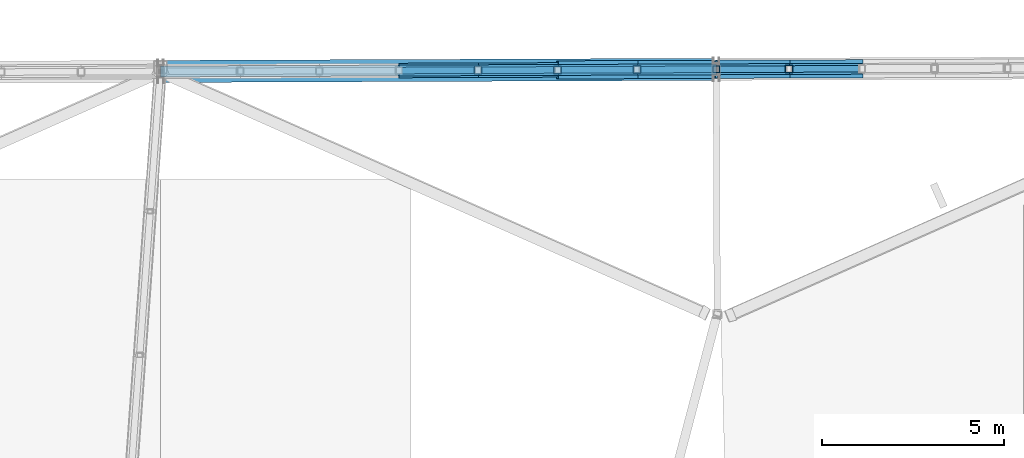
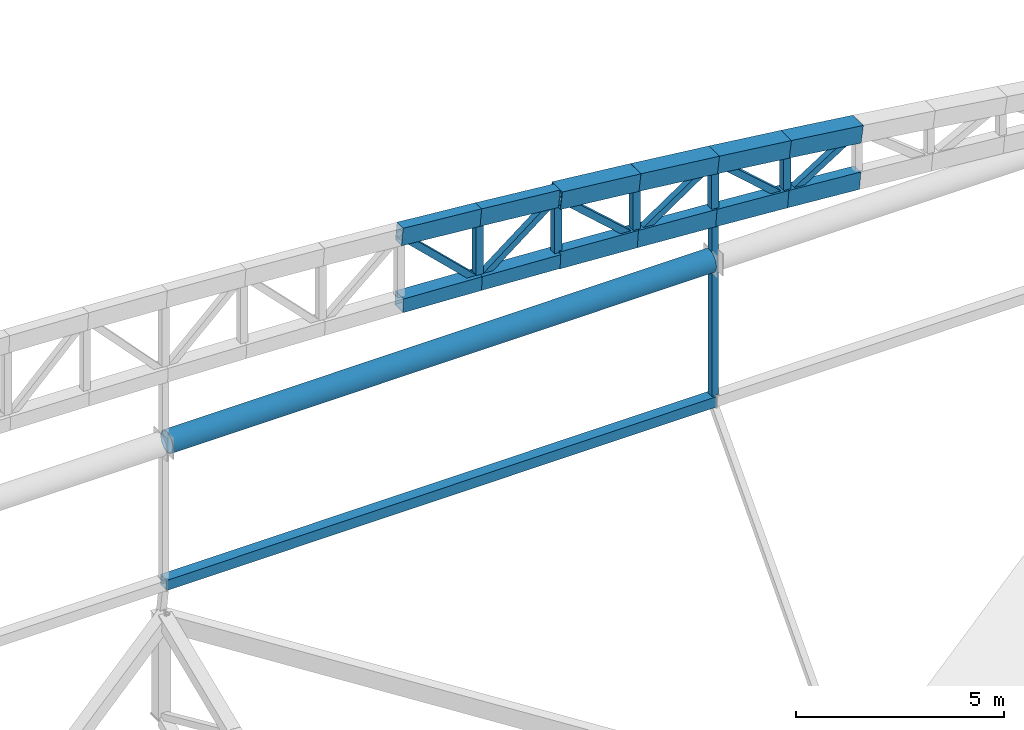
# One storey, part 90 of 188: 26 members.
"""IFC4 building model written with IfcOpenShell, lengths in metres."""

from ifc_helpers import new_model, si_unit, direction, frame, origin, origin_2d, place, context, subcontext, project, spatial, hollow_rectangle, hollow_circle, extrude, material, material_profile, profile_set, type_object, element, save


model = new_model("IFC4")

# Units and contexts
model_context = context("Model", 3, precision=1e-05, world=origin(), true_north=direction((0.0, 1.0)))
body_context = subcontext(model_context, "Body", "Model", "MODEL_VIEW")
ifc_project = project(units=[si_unit("LENGTHUNIT", "METRE"), si_unit("AREAUNIT", "SQUARE_METRE"), si_unit("VOLUMEUNIT", "CUBIC_METRE"), si_unit("PLANEANGLEUNIT", "RADIAN"), si_unit("MASSUNIT", "GRAM", prefix="KILO")], contexts=[model_context])

# Site, building, storey
site_placement = place(None, origin())
site = spatial("IfcSite", under=ifc_project, at=site_placement, CompositionType="ELEMENT")
building_placement = place(site_placement, origin())
building = spatial("IfcBuilding", under=site, at=building_placement, Name="Meseta Stadium", CompositionType="ELEMENT")
storey_placement = place(building_placement, frame((0.0, 0.0, 30.0)))
storey = spatial("IfcBuildingStorey", under=building, at=storey_placement, Name="ROOF", CompositionType="ELEMENT", Elevation=30.0)

# Members
ifc_material_1 = material(Name="Steel S355", Category="steel")
ifc_material_profile_1 = material_profile(ifc_material_1, hollow_circle(Radius=0.304931640625, WallThickness=0.02490234375, at=origin_2d()), Name="CHS 610x25")
ifc_profile_set_1 = profile_set([ifc_material_profile_1], Name="Steel S355")
member_type_1 = type_object("IfcMemberType", Name="CHS 610x25 arch tie", PredefinedType="STRUT", material=ifc_profile_set_1)
member_1_placement = place(storey_placement, frame((22.884033203125, 105.340576171875, 15.550048828125), z_axis=(-0.99999262272, -0.003841159526, 0.0), x_axis=(0.003841159526, -0.99999262272, 0.0)))
element("IfcMember", 1, at=member_1_placement, inside=storey, type_object=member_type_1, Name="GABLE ARCH GA-N tie 02", PredefinedType="STRUT", context=body_context, shape_type="SweptSolid", body=[
    extrude(hollow_circle(Radius=0.304931640625, WallThickness=0.02490234375, at=origin_2d()), origin(), (0.0, 0.0, 1.0), 15.126953125),
])
ifc_material_2 = material(Name="Steel S355", Category="steel")
ifc_material_profile_2 = material_profile(ifc_material_2, hollow_rectangle(XDim=0.300048828125, YDim=0.5, WallThickness=0.01611328125, at=origin_2d()), Name="RHS 500x300x16")
ifc_profile_set_2 = profile_set([ifc_material_profile_2], Name="Steel S355")
member_type_2 = type_object("IfcMemberType", Name="RHS 500x300x16 arch bottom chord", PredefinedType="CHORD", material=ifc_profile_set_2)
member_2_placement = place(storey_placement, frame((26.9794921875, 105.356201171875, 16.539306640625), z_axis=(-0.996723035232, -0.003766721211, 0.080802245328), x_axis=(0.00377907822, -0.999992859258, 0.0)))
element("IfcMember", 2, at=member_2_placement, inside=storey, type_object=member_type_2, Name="GABLE ARCH GA-N bottom chord", PredefinedType="CHORD", context=body_context, shape_type="SweptSolid", body=[
    extrude(hollow_rectangle(XDim=0.300048828125, YDim=0.5, WallThickness=0.01611328125, at=origin_2d()), origin(), (0.0, 0.0, 1.0), 2.00927734375),
])
member_3_placement = place(storey_placement, frame((24.976806640625, 105.3486328125, 16.70166015625), z_axis=(-0.997166550331, -0.003889958504, 0.075124823614), x_axis=(0.003900982143, -0.99999239114, 0.0)))
element("IfcMember", 3, at=member_3_placement, inside=storey, type_object=member_type_2, Name="GABLE ARCH GA-N bottom chord", PredefinedType="CHORD", context=body_context, shape_type="SweptSolid", body=[
    extrude(hollow_rectangle(XDim=0.300048828125, YDim=0.5, WallThickness=0.01611328125, at=origin_2d()), origin(), (0.0, 0.0, 1.0), 2.00830078125),
])
member_4_placement = place(storey_placement, frame((22.97412109375, 105.3408203125, 16.8525390625), z_axis=(-0.997582672164, -0.003786737842, 0.069386402228), x_axis=(0.003795886463, -0.999992795597, 0.0)))
element("IfcMember", 4, at=member_4_placement, inside=storey, type_object=member_type_2, Name="GABLE ARCH GA-N bottom chord", PredefinedType="CHORD", context=body_context, shape_type="SweptSolid", body=[
    extrude(hollow_rectangle(XDim=0.300048828125, YDim=0.5, WallThickness=0.01611328125, at=origin_2d()), origin(), (0.0, 0.0, 1.0), 2.192138671875),
])
member_5_placement = place(storey_placement, frame((20.787353515625, 105.33251953125, 17.004638671875), z_axis=(-0.997966615357, -0.003899612765, 0.063619396826), x_axis=(0.003907528502, -0.999992365581, 0.0)))
element("IfcMember", 5, at=member_5_placement, inside=storey, type_object=member_type_2, Name="GABLE ARCH GA-N bottom chord", PredefinedType="CHORD", context=body_context, shape_type="SweptSolid", body=[
    extrude(hollow_rectangle(XDim=0.300048828125, YDim=0.5, WallThickness=0.01611328125, at=origin_2d()), origin(), (0.0, 0.0, 1.0), 2.191162109375),
])
ifc_material_3 = material(Name="Steel S355", Category="steel")
ifc_material_profile_3 = material_profile(ifc_material_3, hollow_rectangle(XDim=0.300048828125, YDim=0.5, WallThickness=0.01611328125, at=origin_2d()), Name="RHS 500x300x16")
ifc_profile_set_3 = profile_set([ifc_material_profile_3], Name="Steel S355")
member_type_3 = type_object("IfcMemberType", Name="RHS 500x300x16 arch top chord", PredefinedType="CHORD", material=ifc_profile_set_3)
member_6_placement = place(storey_placement, frame((18.6005859375, 105.323974609375, 18.9609375), z_axis=(-0.995113347047, -0.003777786266, 0.098666888363), x_axis=(0.003796310294, -0.999992793988, 0.0)))
element("IfcMember", 6, at=member_6_placement, inside=storey, type_object=member_type_3, Name="GABLE ARCH GA-N top chord", PredefinedType="CHORD", context=body_context, shape_type="SweptSolid", body=[
    extrude(hollow_rectangle(XDim=0.300048828125, YDim=0.5, WallThickness=0.01611328125, at=origin_2d()), origin(), (0.0, 0.0, 1.0), 2.197265625),
])
member_7_placement = place(storey_placement, frame((16.4140625, 105.315673828125, 19.177734375), z_axis=(-0.995908418209, -0.00389157024, 0.090284429562), x_axis=(0.003907528502, -0.999992365581, 0.0)))
element("IfcMember", 7, at=member_7_placement, inside=storey, type_object=member_type_3, Name="GABLE ARCH GA-N top chord", PredefinedType="CHORD", context=body_context, shape_type="SweptSolid", body=[
    extrude(hollow_rectangle(XDim=0.300048828125, YDim=0.5, WallThickness=0.01611328125, at=origin_2d()), origin(), (0.0, 0.0, 1.0), 2.19580078125),
])
ifc_material_4 = material(Name="Steel S355", Category="steel")
ifc_material_profile_4 = material_profile(ifc_material_4, hollow_rectangle(XDim=0.179931640625, YDim=0.179931640625, WallThickness=0.00634765625, at=origin_2d()), Name="SHS 180x180x6.3")
ifc_profile_set_4 = profile_set([ifc_material_profile_4], Name="Steel S355")
member_type_4 = type_object("IfcMemberType", Name="SHS 180x180x6.3 arch diagonal", PredefinedType="BRACE", material=ifc_profile_set_4)
member_8_placement = place(storey_placement, frame((26.9794921875, 105.356201171875, 17.965087890625), z_axis=(-0.845756422473, -0.003196202499, -0.533559610667), x_axis=(0.00377907822, -0.999992859258, 0.0)))
element("IfcMember", 8, at=member_8_placement, inside=storey, type_object=member_type_4, Name="GABLE ARCH GA-N diagonal", PredefinedType="BRACE", context=body_context, shape_type="SweptSolid", body=[
    extrude(hollow_rectangle(XDim=0.179931640625, YDim=0.179931640625, WallThickness=0.00634765625, at=origin_2d()), origin(), (0.0, 0.0, 1.0), 2.367919921875),
])
member_9_placement = place(storey_placement, frame((24.976806640625, 105.3486328125, 16.70166015625), z_axis=(-0.748970709473, -0.002921743594, 0.66259666447), x_axis=(0.003900982143, -0.99999239114, 0.0)))
element("IfcMember", 9, at=member_9_placement, inside=storey, type_object=member_type_4, Name="GABLE ARCH GA-N diagonal", PredefinedType="BRACE", context=body_context, shape_type="SweptSolid", body=[
    extrude(hollow_rectangle(XDim=0.179931640625, YDim=0.179931640625, WallThickness=0.00634765625, at=origin_2d()), origin(), (0.0, 0.0, 1.0), 2.673828125),
])
member_10_placement = place(storey_placement, frame((22.97412109375, 105.3408203125, 18.473388671875), z_axis=(-0.830130603351, -0.003151104222, -0.557560088172), x_axis=(0.003795886463, -0.999992795597, 0.0)))
element("IfcMember", 10, at=member_10_placement, inside=storey, type_object=member_type_4, Name="GABLE ARCH GA-N diagonal", PredefinedType="BRACE", context=body_context, shape_type="SweptSolid", body=[
    extrude(hollow_rectangle(XDim=0.179931640625, YDim=0.179931640625, WallThickness=0.00634765625, at=origin_2d()), origin(), (0.0, 0.0, 1.0), 2.63427734375),
])
member_11_placement = place(storey_placement, frame((20.787353515625, 105.33251953125, 17.004638671875), z_axis=(-0.745286027417, -0.002912248628, 0.666738521569), x_axis=(0.003907528502, -0.999992365581, 0.0)))
element("IfcMember", 11, at=member_11_placement, inside=storey, type_object=member_type_4, Name="GABLE ARCH GA-N diagonal", PredefinedType="BRACE", context=body_context, shape_type="SweptSolid", body=[
    extrude(hollow_rectangle(XDim=0.179931640625, YDim=0.179931640625, WallThickness=0.00634765625, at=origin_2d()), origin(), (0.0, 0.0, 1.0), 2.93408203125),
])
member_12_placement = place(storey_placement, frame((18.6005859375, 105.323974609375, 18.9609375), z_axis=(-0.791176509114, -0.00300357317, -0.61158050163), x_axis=(0.003796310294, -0.999992793988, 0.0)))
element("IfcMember", 12, at=member_12_placement, inside=storey, type_object=member_type_4, Name="GABLE ARCH GA-N diagonal", PredefinedType="BRACE", context=body_context, shape_type="SweptSolid", body=[
    extrude(hollow_rectangle(XDim=0.179931640625, YDim=0.179931640625, WallThickness=0.00634765625, at=origin_2d()), origin(), (0.0, 0.0, 1.0), 2.763671875),
])
member_13_placement = place(storey_placement, frame((16.4140625, 105.315673828125, 17.270751953125), z_axis=(-0.720408144272, -0.002815036848, 0.693544649777), x_axis=(0.003907528502, -0.999992365581, 0.0)))
element("IfcMember", 13, at=member_13_placement, inside=storey, type_object=member_type_4, Name="GABLE ARCH GA-N diagonal", PredefinedType="BRACE", context=body_context, shape_type="SweptSolid", body=[
    extrude(hollow_rectangle(XDim=0.179931640625, YDim=0.179931640625, WallThickness=0.00634765625, at=origin_2d()), origin(), (0.0, 0.0, 1.0), 3.035400390625),
])
ifc_material_5 = material(Name="Steel S355", Category="steel")
ifc_material_profile_5 = material_profile(ifc_material_5, hollow_rectangle(XDim=0.179931640625, YDim=0.179931640625, WallThickness=0.00634765625, at=origin_2d()), Name="SHS 180x180x6.3")
ifc_profile_set_5 = profile_set([ifc_material_profile_5], Name="Steel S355")
member_type_5 = type_object("IfcMemberType", Name="SHS 180x180x6.3 hanger", PredefinedType="STRUT", material=ifc_profile_set_5)
member_14_placement = place(storey_placement, frame((22.97412109375, 105.3408203125, 16.8525390625), z_axis=(0.0, 0.0, -1.0), x_axis=(1.0, 0.0, 0.0)))
element("IfcMember", 14, at=member_14_placement, inside=storey, type_object=member_type_5, Name="GABLE ARCH GA-N hanger RT-17", PredefinedType="STRUT", context=body_context, shape_type="SweptSolid", body=[
    extrude(hollow_rectangle(XDim=0.179931640625, YDim=0.179931640625, WallThickness=0.00634765625, at=origin_2d()), origin(), (0.0, 0.0, 1.0), 5.25244140625),
])
ifc_material_6 = material(Name="Steel S355", Category="steel")
ifc_material_profile_6 = material_profile(ifc_material_6, hollow_rectangle(XDim=0.199951171875, YDim=0.199951171875, WallThickness=0.008056640625, at=origin_2d()), Name="SHS 200x200x8")
ifc_profile_set_6 = profile_set([ifc_material_profile_6], Name="Steel S355")
member_type_6 = type_object("IfcMemberType", Name="SHS 200x200x8 arch vertical", PredefinedType="POST", material=ifc_profile_set_6)
member_15_placement = place(storey_placement, frame((24.976806640625, 105.3486328125, 16.70166015625), z_axis=(0.0, 0.0, 1.0), x_axis=(1.0, 0.0, 0.0)))
element("IfcMember", 15, at=member_15_placement, inside=storey, type_object=member_type_6, Name="GABLE ARCH GA-N vertical", PredefinedType="POST", context=body_context, shape_type="SweptSolid", body=[
    extrude(hollow_rectangle(XDim=0.199951171875, YDim=0.199951171875, WallThickness=0.008056640625, at=origin_2d()), origin(), (0.0, 0.0, 1.0), 1.52490234375),
])
member_16_placement = place(storey_placement, frame((22.97412109375, 105.3408203125, 16.8525390625), z_axis=(0.0, 0.0, 1.0), x_axis=(1.0, 0.0, 0.0)))
element("IfcMember", 16, at=member_16_placement, inside=storey, type_object=member_type_6, Name="GABLE ARCH GA-N vertical", PredefinedType="POST", context=body_context, shape_type="SweptSolid", body=[
    extrude(hollow_rectangle(XDim=0.199951171875, YDim=0.199951171875, WallThickness=0.008056640625, at=origin_2d()), origin(), (0.0, 0.0, 1.0), 1.620849609375),
])
member_17_placement = place(storey_placement, frame((20.787353515625, 105.33251953125, 17.004638671875), z_axis=(0.0, 0.0, 1.0), x_axis=(1.0, 0.0, 0.0)))
element("IfcMember", 17, at=member_17_placement, inside=storey, type_object=member_type_6, Name="GABLE ARCH GA-N vertical", PredefinedType="POST", context=body_context, shape_type="SweptSolid", body=[
    extrude(hollow_rectangle(XDim=0.199951171875, YDim=0.199951171875, WallThickness=0.008056640625, at=origin_2d()), origin(), (0.0, 0.0, 1.0), 1.721435546875),
])
member_18_placement = place(storey_placement, frame((18.6005859375, 105.323974609375, 17.14404296875), z_axis=(0.0, 0.0, 1.0), x_axis=(1.0, 0.0, 0.0)))
element("IfcMember", 18, at=member_18_placement, inside=storey, type_object=member_type_6, Name="GABLE ARCH GA-N vertical", PredefinedType="POST", context=body_context, shape_type="SweptSolid", body=[
    extrude(hollow_rectangle(XDim=0.199951171875, YDim=0.199951171875, WallThickness=0.008056640625, at=origin_2d()), origin(), (0.0, 0.0, 1.0), 1.81689453125),
])
member_19_placement = place(storey_placement, frame((16.4140625, 105.315673828125, 17.270751953125), z_axis=(0.0, 0.0, 1.0), x_axis=(1.0, 0.0, 0.0)))
element("IfcMember", 19, at=member_19_placement, inside=storey, type_object=member_type_6, Name="GABLE ARCH GA-N vertical", PredefinedType="POST", context=body_context, shape_type="SweptSolid", body=[
    extrude(hollow_rectangle(XDim=0.199951171875, YDim=0.199951171875, WallThickness=0.008056640625, at=origin_2d()), origin(), (0.0, 0.0, 1.0), 1.906982421875),
])
ifc_material_7 = material(Name="Steel S355", Category="steel")
ifc_material_profile_7 = material_profile(ifc_material_7, hollow_rectangle(XDim=0.300048828125, YDim=0.300048828125, WallThickness=0.010009765625, at=origin_2d()), Name="SHS 300x300x10")
ifc_profile_set_7 = profile_set([ifc_material_profile_7], Name="Steel S355")
member_type_7 = type_object("IfcMemberType", Name="SHS 300x300x10 arch sill", PredefinedType="STRUT", material=ifc_profile_set_7)
member_20_placement = place(storey_placement, frame((22.97412109375, 105.3408203125, 11.449951171875), z_axis=(-0.999992612359, -0.00384385568, 0.0), x_axis=(0.00384385568, -0.999992612359, 0.0)))
element("IfcMember", 20, at=member_20_placement, inside=storey, type_object=member_type_7, Name="GABLE ARCH GA-N sill beam 02", PredefinedType="STRUT", context=body_context, shape_type="SweptSolid", body=[
    extrude(hollow_rectangle(XDim=0.300048828125, YDim=0.300048828125, WallThickness=0.010009765625, at=origin_2d()), origin(), (0.0, 0.0, 1.0), 15.306884765625),
])
ifc_material_8 = material(Name="Steel S355", Category="steel")
ifc_material_profile_8 = material_profile(ifc_material_8, hollow_rectangle(XDim=0.39990234375, YDim=0.39990234375, WallThickness=0.01416015625, at=origin_2d()), Name="SHS 400x400x14.2")
ifc_profile_set_8 = profile_set([ifc_material_profile_8], Name="Steel S355")
member_type_8 = type_object("IfcMemberType", Name="SHS 400x400x14.2 arch bottom chord", PredefinedType="CHORD", material=ifc_profile_set_8)
member_21_placement = place(storey_placement, frame((18.6005859375, 105.323974609375, 17.14404296875), z_axis=(-0.998317947444, -0.003789952011, 0.057852502761), x_axis=(0.003796310294, -0.999992793988, 0.0)))
element("IfcMember", 21, at=member_21_placement, inside=storey, type_object=member_type_8, Name="GABLE ARCH GA-N bottom chord", PredefinedType="CHORD", context=body_context, shape_type="SweptSolid", body=[
    extrude(hollow_rectangle(XDim=0.39990234375, YDim=0.39990234375, WallThickness=0.01416015625, at=origin_2d()), origin(), (0.0, 0.0, 1.0), 2.190185546875),
])
member_22_placement = place(storey_placement, frame((16.4140625, 105.315673828125, 17.270751953125), z_axis=(-0.998624357389, -0.003902182931, 0.052289251269), x_axis=(0.003907528502, -0.999992365581, 0.0)))
element("IfcMember", 22, at=member_22_placement, inside=storey, type_object=member_type_8, Name="GABLE ARCH GA-N bottom chord", PredefinedType="CHORD", context=body_context, shape_type="SweptSolid", body=[
    extrude(hollow_rectangle(XDim=0.39990234375, YDim=0.39990234375, WallThickness=0.01416015625, at=origin_2d()), origin(), (0.0, 0.0, 1.0), 2.189697265625),
])
ifc_material_9 = material(Name="Steel S355", Category="steel")
ifc_material_profile_9 = material_profile(ifc_material_9, hollow_rectangle(XDim=0.5, YDim=0.5, WallThickness=0.01611328125, at=origin_2d()), Name="SHS 500x500x16")
ifc_profile_set_9 = profile_set([ifc_material_profile_9], Name="Steel S355")
member_type_9 = type_object("IfcMemberType", Name="SHS 500x500x16 arch top chord", PredefinedType="CHORD", material=ifc_profile_set_9)
member_23_placement = place(storey_placement, frame((26.9794921875, 105.356201171875, 17.965087890625), z_axis=(-0.991577264118, -0.0037472748, 0.129462300362), x_axis=(0.00377907822, -0.999992859258, 0.0)))
element("IfcMember", 23, at=member_23_placement, inside=storey, type_object=member_type_9, Name="GABLE ARCH GA-N top chord", PredefinedType="CHORD", context=body_context, shape_type="SweptSolid", body=[
    extrude(hollow_rectangle(XDim=0.5, YDim=0.5, WallThickness=0.01611328125, at=origin_2d()), origin(), (0.0, 0.0, 1.0), 2.019775390625),
])
member_24_placement = place(storey_placement, frame((24.976806640625, 105.3486328125, 18.2265625), z_axis=(-0.99248302154, -0.003871688003, 0.122321142847), x_axis=(0.003900982143, -0.99999239114, 0.0)))
element("IfcMember", 24, at=member_24_placement, inside=storey, type_object=member_type_9, Name="GABLE ARCH GA-N top chord", PredefinedType="CHORD", context=body_context, shape_type="SweptSolid", body=[
    extrude(hollow_rectangle(XDim=0.5, YDim=0.5, WallThickness=0.01611328125, at=origin_2d()), origin(), (0.0, 0.0, 1.0), 2.017822265625),
])
member_25_placement = place(storey_placement, frame((22.97412109375, 105.3408203125, 18.473388671875), z_axis=(-0.99338291666, -0.003770795932, 0.114787464413), x_axis=(0.003795886463, -0.999992795597, 0.0)))
element("IfcMember", 25, at=member_25_placement, inside=storey, type_object=member_type_9, Name="GABLE ARCH GA-N top chord", PredefinedType="CHORD", context=body_context, shape_type="SweptSolid", body=[
    extrude(hollow_rectangle(XDim=0.5, YDim=0.5, WallThickness=0.01611328125, at=origin_2d()), origin(), (0.0, 0.0, 1.0), 2.201416015625),
])
member_26_placement = place(storey_placement, frame((20.787353515625, 105.33251953125, 18.72607421875), z_axis=(-0.994274320491, -0.003885184908, 0.106787082317), x_axis=(0.003907528502, -0.999992365581, 0.0)))
element("IfcMember", 26, at=member_26_placement, inside=storey, type_object=member_type_9, Name="GABLE ARCH GA-N top chord", PredefinedType="CHORD", context=body_context, shape_type="SweptSolid", body=[
    extrude(hollow_rectangle(XDim=0.5, YDim=0.5, WallThickness=0.01611328125, at=origin_2d()), origin(), (0.0, 0.0, 1.0), 2.199462890625),
])

save(model, "model.ifc")
